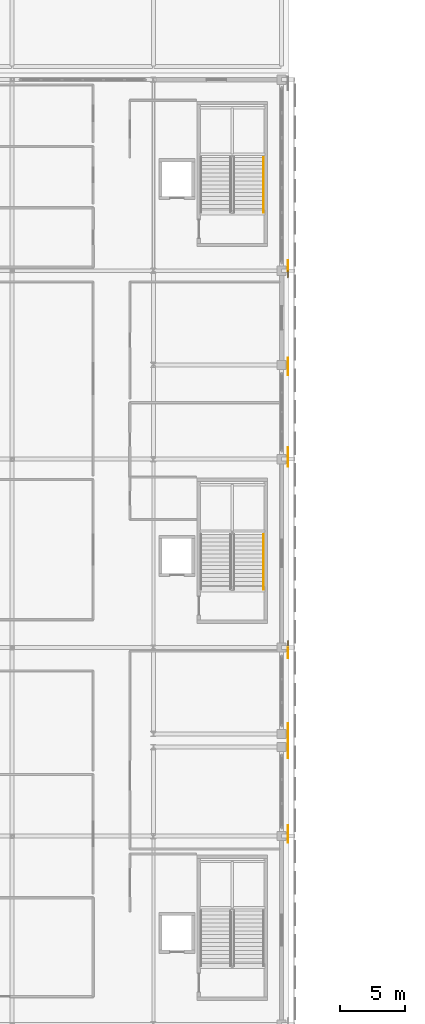
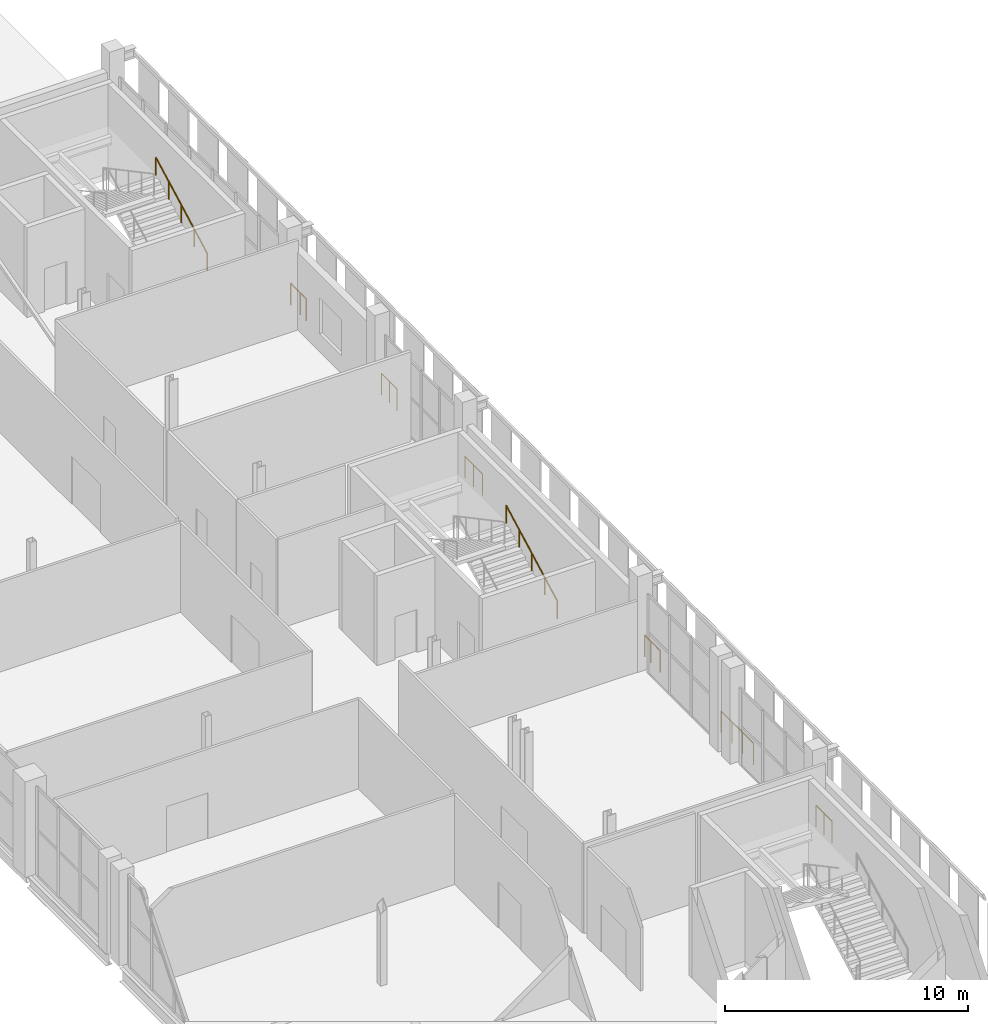
# One storey, part 102 of 104: 10 railings.
"""IFC4 building model written with IfcOpenShell, lengths in metres."""

from ifc_helpers import new_model, si_unit, direction, frame, origin, origin_2d, place, context, subcontext, project, spatial, circle, extrude, material, type_object, element, save


model = new_model("IFC4")

# Units and contexts
model_context = context("Model", 3, precision=1e-05, world=origin(), true_north=direction((0.0, 1.0)))
body_context = subcontext(model_context, "Body", "Model", "MODEL_VIEW")
ifc_project = project(units=[si_unit("LENGTHUNIT", "METRE"), si_unit("AREAUNIT", "SQUARE_METRE"), si_unit("VOLUMEUNIT", "CUBIC_METRE"), si_unit("PLANEANGLEUNIT", "RADIAN"), si_unit("MASSUNIT", "GRAM", prefix="KILO")], contexts=[model_context])

# Site, building, storey
site_placement = place(None, origin())
site = spatial("IfcSite", under=ifc_project, at=site_placement, CompositionType="ELEMENT")
building_placement = place(site_placement, origin())
building = spatial("IfcBuilding", under=site, at=building_placement, Name="Koshinbarg Plaza Stadium", CompositionType="ELEMENT")
storey_placement = place(building_placement, frame((0.0, 0.0, 19.800048828125)))
storey = spatial("IfcBuildingStorey", under=building, at=storey_placement, Name="L04", CompositionType="ELEMENT", Elevation=19.800048828125)

# Railings
ifc_material_1 = material(Name="Toughened laminated glass and stainless steel sightline balustrade", Category="steel")
railing_type_1 = type_object("IfcRailingType", Name="RL-BOWL-1100", PredefinedType="BALUSTRADE", material=ifc_material_1)
railing_1_placement = place(storey_placement, frame((218.875, 83.10009765625, 0.0)))
element("IfcRailing", 1, at=railing_1_placement, inside=storey, type_object=railing_type_1, Name="L04 deck edge safety balustrade 0313", PredefinedType="BALUSTRADE", context=body_context, shape_type="SweptSolid", body=[
    extrude(circle(Radius=0.02392578125, at=origin_2d()), frame((0.0, 0.0, 1.076171875), z_axis=(0.0, -1.0, 0.0), x_axis=(1.0, 0.0, 0.0)), (0.0, 0.0, 1.0), 0.800048828125),
    extrude(circle(Radius=0.02099609375, at=origin_2d()), origin(), (0.0, 0.0, 1.0), 1.052001953125),
    extrude(circle(Radius=0.02099609375, at=origin_2d()), frame((0.0, -0.800048828125, 0.0)), (0.0, 0.0, 1.0), 1.052001953125),
])
railing_2_placement = place(storey_placement, frame((218.875, 77.300048828125, 0.0)))
element("IfcRailing", 2, at=railing_2_placement, inside=storey, type_object=railing_type_1, Name="L04 deck edge safety balustrade 0314", PredefinedType="BALUSTRADE", context=body_context, shape_type="SweptSolid", body=[
    extrude(circle(Radius=0.02392578125, at=origin_2d()), frame((0.0, 0.0, 1.076171875), z_axis=(0.0, -1.0, 0.0), x_axis=(1.0, 0.0, 0.0)), (0.0, 0.0, 1.0), 2.650146484375),
    extrude(circle(Radius=0.02099609375, at=origin_2d()), origin(), (0.0, 0.0, 1.0), 1.052001953125),
    extrude(circle(Radius=0.02099609375, at=origin_2d()), frame((0.0, -0.88330078125, 0.0)), (0.0, 0.0, 1.0), 1.052001953125),
    extrude(circle(Radius=0.02099609375, at=origin_2d()), frame((0.0, -1.766845703125, 0.0)), (0.0, 0.0, 1.0), 1.052001953125),
    extrude(circle(Radius=0.02099609375, at=origin_2d()), frame((0.0, -2.650146484375, 0.0)), (0.0, 0.0, 1.0), 1.052001953125),
])
railing_3_placement = place(storey_placement, frame((218.875, 69.5, 0.0)))
element("IfcRailing", 3, at=railing_3_placement, inside=storey, type_object=railing_type_1, Name="L04 deck edge safety balustrade 0315", PredefinedType="BALUSTRADE", context=body_context, shape_type="SweptSolid", body=[
    extrude(circle(Radius=0.02392578125, at=origin_2d()), frame((0.0, 0.0, 1.076171875), z_axis=(0.0, -1.0, 0.0), x_axis=(1.0, 0.0, 0.0)), (0.0, 0.0, 1.0), 1.300048828125),
    extrude(circle(Radius=0.02099609375, at=origin_2d()), origin(), (0.0, 0.0, 1.0), 1.052001953125),
    extrude(circle(Radius=0.02099609375, at=origin_2d()), frame((0.0, -0.64990234375, 0.0)), (0.0, 0.0, 1.0), 1.052001953125),
    extrude(circle(Radius=0.02099609375, at=origin_2d()), frame((0.0, -1.300048828125, 0.0)), (0.0, 0.0, 1.0), 1.052001953125),
])
railing_4_placement = place(storey_placement, frame((218.875, 111.89990234375, 0.0)))
element("IfcRailing", 4, at=railing_4_placement, inside=storey, type_object=railing_type_1, Name="L04 deck edge safety balustrade 0319", PredefinedType="BALUSTRADE", context=body_context, shape_type="SweptSolid", body=[
    extrude(circle(Radius=0.02392578125, at=origin_2d()), frame((0.0, 0.0, 1.076171875), z_axis=(0.0, -1.0, 0.0), x_axis=(1.0, 0.0, 0.0)), (0.0, 0.0, 1.0), 0.498291015625),
    extrude(circle(Radius=0.02099609375, at=origin_2d()), origin(), (0.0, 0.0, 1.0), 1.052001953125),
    extrude(circle(Radius=0.02099609375, at=origin_2d()), frame((0.0, -0.498291015625, 0.0)), (0.0, 0.0, 1.0), 1.052001953125),
])
railing_5_placement = place(storey_placement, frame((218.875, 105.23583984375, 0.0)))
element("IfcRailing", 5, at=railing_5_placement, inside=storey, type_object=railing_type_1, Name="L04 deck edge safety balustrade 0320", PredefinedType="BALUSTRADE", context=body_context, shape_type="SweptSolid", body=[
    extrude(circle(Radius=0.02392578125, at=origin_2d()), frame((0.0, 0.0, 1.076171875), z_axis=(0.0, -1.0, 0.0), x_axis=(1.0, 0.0, 0.0)), (0.0, 0.0, 1.0), 1.29541015625),
    extrude(circle(Radius=0.02099609375, at=origin_2d()), origin(), (0.0, 0.0, 1.0), 1.052001953125),
    extrude(circle(Radius=0.02099609375, at=origin_2d()), frame((0.0, -0.647705078125, 0.0)), (0.0, 0.0, 1.0), 1.052001953125),
    extrude(circle(Radius=0.02099609375, at=origin_2d()), frame((0.0, -1.29541015625, 0.0)), (0.0, 0.0, 1.0), 1.052001953125),
])
railing_6_placement = place(storey_placement, frame((218.875, 98.37158203125, 0.0)))
element("IfcRailing", 6, at=railing_6_placement, inside=storey, type_object=railing_type_1, Name="L04 deck edge safety balustrade 0321", PredefinedType="BALUSTRADE", context=body_context, shape_type="SweptSolid", body=[
    extrude(circle(Radius=0.02392578125, at=origin_2d()), frame((0.0, 0.0, 1.076171875), z_axis=(0.0, -1.0, 0.0), x_axis=(1.0, 0.0, 0.0)), (0.0, 0.0, 1.0), 1.444580078125),
    extrude(circle(Radius=0.02099609375, at=origin_2d()), origin(), (0.0, 0.0, 1.0), 1.052001953125),
    extrude(circle(Radius=0.02099609375, at=origin_2d()), frame((0.0, -0.72216796875, 0.0)), (0.0, 0.0, 1.0), 1.052001953125),
    extrude(circle(Radius=0.02099609375, at=origin_2d()), frame((0.0, -1.444580078125, 0.0)), (0.0, 0.0, 1.0), 1.052001953125),
])
railing_7_placement = place(storey_placement, frame((218.875, 83.598388671875, 0.0)))
element("IfcRailing", 7, at=railing_7_placement, inside=storey, type_object=railing_type_1, Name="L04 deck edge safety balustrade 0322", PredefinedType="BALUSTRADE", context=body_context, shape_type="SweptSolid", body=[
    extrude(circle(Radius=0.02392578125, at=origin_2d()), frame((0.0, 0.0, 1.076171875), z_axis=(0.0, -1.0, 0.0), x_axis=(1.0, 0.0, 0.0)), (0.0, 0.0, 1.0), 0.498291015625),
    extrude(circle(Radius=0.02099609375, at=origin_2d()), origin(), (0.0, 0.0, 1.0), 1.052001953125),
    extrude(circle(Radius=0.02099609375, at=origin_2d()), frame((0.0, -0.498291015625, 0.0)), (0.0, 0.0, 1.0), 1.052001953125),
])
railing_8_placement = place(storey_placement, frame((218.875, 112.6962890625, 0.0)))
element("IfcRailing", 8, at=railing_8_placement, inside=storey, type_object=railing_type_1, Name="L04 deck edge safety balustrade 0326", PredefinedType="BALUSTRADE", context=body_context, shape_type="SweptSolid", body=[
    extrude(circle(Radius=0.02392578125, at=origin_2d()), frame((0.0, 0.0, 1.076171875), z_axis=(0.0, -1.0, 0.0), x_axis=(1.0, 0.0, 0.0)), (0.0, 0.0, 1.0), 0.79638671875),
    extrude(circle(Radius=0.02099609375, at=origin_2d()), origin(), (0.0, 0.0, 1.0), 1.052001953125),
    extrude(circle(Radius=0.02099609375, at=origin_2d()), frame((0.0, -0.79638671875, 0.0)), (0.0, 0.0, 1.0), 1.052001953125),
])
ifc_material_2 = material(Name="Brushed stainless steel handrail", Category="steel")
railing_type_2 = type_object("IfcRailingType", Name="RL-HAND-900", PredefinedType="HANDRAIL", material=ifc_material_2)
for number, where, name in (
    (9, (217.02001953125, 87.56005859375, 0.159912109375), "L04 C09 stair handrail 1"),
    (10, (217.02001953125, 116.360107421875, 0.159912109375), "L04 C10 stair handrail 1"),
):
    element("IfcRailing", number, at=place(storey_placement, frame(where)), inside=storey, type_object=railing_type_2, Name=name, PredefinedType="HANDRAIL", context=body_context, shape_type="SweptSolid", body=[
        extrude(circle(Radius=0.02392578125, at=origin_2d()), frame((0.0, 0.0, 0.8759765625), z_axis=(0.0, 0.882351521365, 0.470590897432), x_axis=(-1.0, 0.0, 0.0)), (0.0, 0.0, 1.0), 4.760009765625),
        extrude(circle(Radius=0.02099609375, at=origin_2d()), origin(), (0.0, 0.0, 1.0), 0.851806640625),
        extrude(circle(Radius=0.02099609375, at=origin_2d()), frame((0.0, 1.050048828125, 0.56005859375)), (0.0, 0.0, 1.0), 0.851806640625),
        extrude(circle(Radius=0.02099609375, at=origin_2d()), frame((0.0, 2.10009765625, 1.1201171875)), (0.0, 0.0, 1.0), 0.851806640625),
        extrude(circle(Radius=0.02099609375, at=origin_2d()), frame((0.0, 3.14990234375, 1.679931640625)), (0.0, 0.0, 1.0), 0.851806640625),
        extrude(circle(Radius=0.02099609375, at=origin_2d()), frame((0.0, 4.199951171875, 2.239990234375)), (0.0, 0.0, 1.0), 0.851806640625),
    ])

save(model, "model.ifc")
